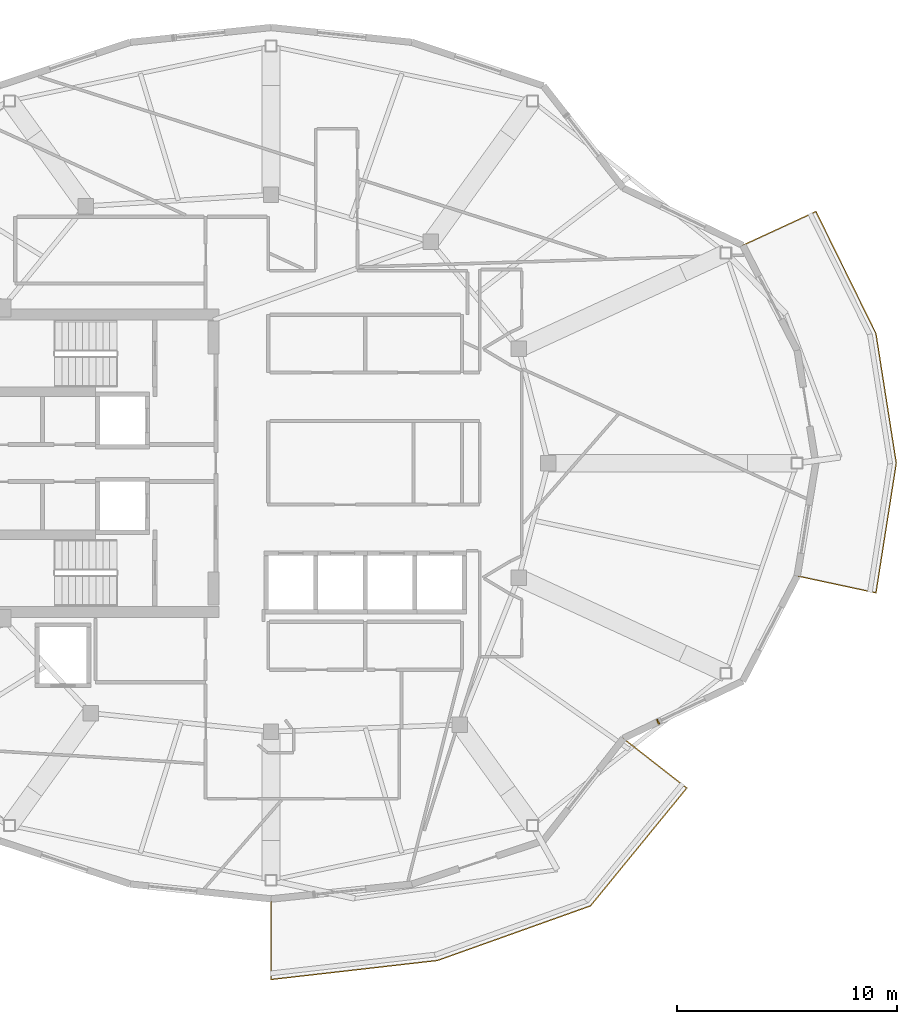
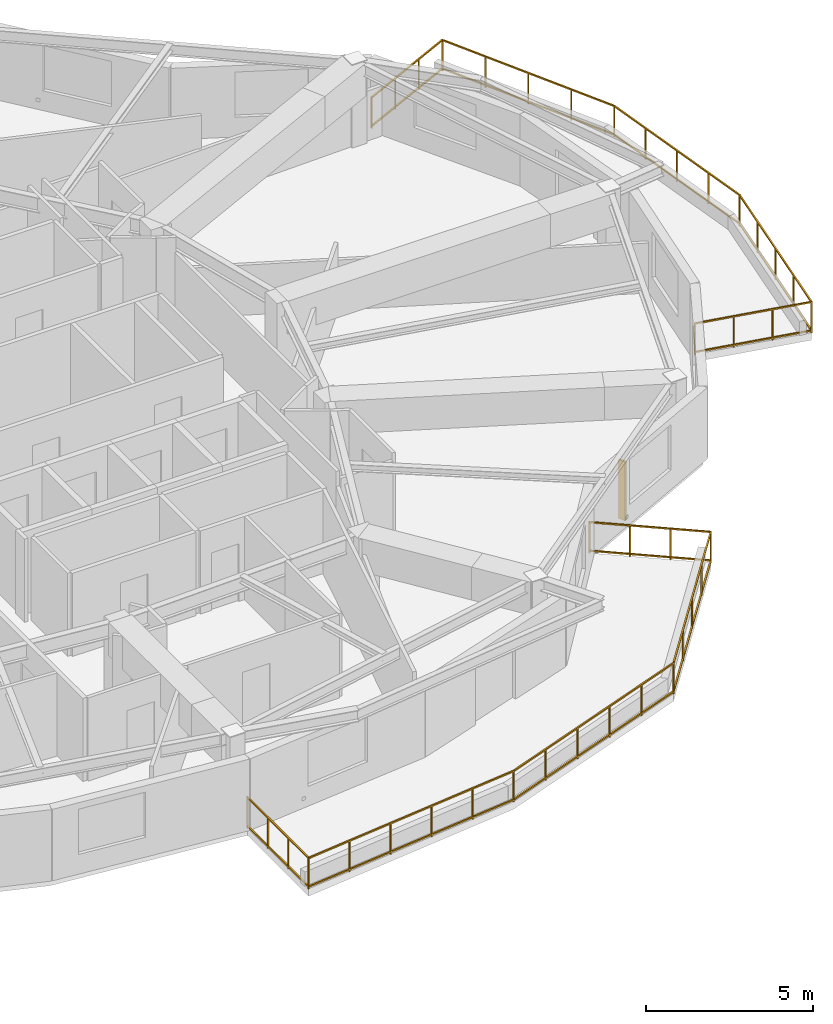
# One storey, part 9 of 11: 2 railings, 1 shading device.
"""IFC4 building model written with IfcOpenShell, lengths in metres."""

import ifcopenshell
import ifcopenshell.guid

model = None  # the IFC model being written
_history = None  # IfcOwnerHistory: only IFC2X3 demands one
_inside = {}  # id of a spatial element -> (the spatial element, [elements in it])
_under = {}  # id of a project, library or spatial element -> (it, [spatial elements below it])
_declared = {}  # id of a project -> (the project, [libraries it declares])
_typed = {}  # id of a type object -> (the type object, [elements of that type])
_made_of = {}  # id of a material, layer set ... -> (it, [elements and type objects made of it])


def new_model(schema):
    """Start an empty IFC model of exactly this schema.

    Asked for "IFC4X3", IfcOpenShell would pick the latest addendum, in which some entities
    have other attributes; the version numbers below select the first issue.
    IFC2X3 requires an IfcOwnerHistory on every rooted entity: one is made here for all.
    """
    global model, _history
    if schema == "IFC4X3":
        model = ifcopenshell.file(schema_version=(4, 3, 0, 0))
    else:
        model = ifcopenshell.file(schema=schema)
    _inside.clear()
    _under.clear()
    _declared.clear()
    _typed.clear()
    _made_of.clear()
    _history = None
    if model.schema == "IFC2X3":
        org = make("IfcOrganization", Name="unknown")
        user = make(
            "IfcPersonAndOrganization",
            ThePerson=make("IfcPerson", FamilyName="unknown"),
            TheOrganization=org,
        )
        app = make(
            "IfcApplication",
            ApplicationDeveloper=org,
            Version="unknown",
            ApplicationFullName="unknown",
            ApplicationIdentifier="unknown",
        )
        _history = make(
            "IfcOwnerHistory",
            OwningUser=user,
            OwningApplication=app,
            ChangeAction="ADDED",
            CreationDate=0,
        )
    return model


def make(cls, **values):
    """One entity of the class cls with the attributes given. An attribute that is None is left unset."""
    return model.create_entity(
        cls, **{name: value for name, value in values.items() if value is not None}
    )


def rooted(cls, **values):
    """An entity with a GlobalId (a new one), such as an element, a storey or a relation."""
    return make(cls, GlobalId=ifcopenshell.guid.new(), OwnerHistory=_history, **values)


def si_unit(unit_type, name, prefix=None):
    """IfcSIUnit, for example si_unit("LENGTHUNIT", "METRE", prefix="MILLI")."""
    return make("IfcSIUnit", UnitType=unit_type, Prefix=prefix, Name=name)


def assignment(units):
    """IfcUnitAssignment: the units of a project."""
    return None if units is None else make("IfcUnitAssignment", Units=units)


def point(xyz):
    """IfcCartesianPoint."""
    return None if xyz is None else make("IfcCartesianPoint", Coordinates=xyz)


def direction(xyz):
    """IfcDirection."""
    return None if xyz is None else make("IfcDirection", DirectionRatios=xyz)


def frame(location, z_axis=None, x_axis=None):
    """IfcAxis2Placement3D, a coordinate frame: its origin and axes. An axis left out is left unset."""
    return make(
        "IfcAxis2Placement3D",
        Location=point(location),
        Axis=direction(z_axis),
        RefDirection=direction(x_axis),
    )


def frame_2d(location, x_axis=None):
    """IfcAxis2Placement2D, a coordinate frame in the plane: its origin and x axis."""
    return make(
        "IfcAxis2Placement2D", Location=point(location), RefDirection=direction(x_axis)
    )


def origin():
    """The frame at (0, 0, 0) with its axes left unset."""
    return frame((0.0, 0.0, 0.0))


def origin_2d():
    """The frame at (0, 0) in the plane with its x axis left unset."""
    return frame_2d((0.0, 0.0))


def place(relative_to, where):
    """IfcLocalPlacement: puts the frame where relative to a parent placement (None: the world)."""
    return make(
        "IfcLocalPlacement", PlacementRelTo=relative_to, RelativePlacement=where
    )


def context(
    kind, dimensions, precision=None, world=None, true_north=None, identifier=None
):
    """IfcGeometricRepresentationContext, for example the 3D "Model" context."""
    return make(
        "IfcGeometricRepresentationContext",
        ContextIdentifier=identifier,
        ContextType=kind,
        CoordinateSpaceDimension=dimensions,
        Precision=precision,
        WorldCoordinateSystem=world,
        TrueNorth=true_north,
    )


def subcontext(parent, identifier, kind, view, scale=None):
    """IfcGeometricRepresentationSubContext, for example "Body" below "Model"."""
    return make(
        "IfcGeometricRepresentationSubContext",
        ContextIdentifier=identifier,
        ContextType=kind,
        ParentContext=parent,
        TargetScale=scale,
        TargetView=view,
    )


def project(units=None, contexts=None):
    """IfcProject with its units and contexts."""
    return rooted(
        "IfcProject",
        Name="project",
        RepresentationContexts=contexts,
        UnitsInContext=assignment(units),
    )


def spatial(cls, under=None, at=None, **own):
    """A site, building, storey or space (cls), placed at a placement, below another one or the project."""
    s = rooted(cls, ObjectPlacement=at, **own)
    if under is not None:
        _under.setdefault(under.id(), (under, []))[1].append(s)
    return s


def profile(cls, at=None, kind="AREA", **sizes):
    """A parametric profile (cls). Its sizes go by their IFC names, for example OverallWidth=200.0."""
    return make(cls, ProfileType=kind, Position=at, **sizes)


def rectangle(**sizes):
    """IfcRectangleProfileDef."""
    return profile("IfcRectangleProfileDef", **sizes)


def extrude(swept, where, along, depth):
    """IfcExtrudedAreaSolid: the profile swept, set in the frame where, extruded along a direction by depth."""
    return make(
        "IfcExtrudedAreaSolid",
        SweptArea=swept,
        Position=where,
        ExtrudedDirection=direction(along),
        Depth=depth,
    )


def shape(context_of_items, identifier, shape_type, items):
    """IfcShapeRepresentation: the items that make up one representation, for example the "Body"."""
    return make(
        "IfcShapeRepresentation",
        ContextOfItems=context_of_items,
        RepresentationIdentifier=identifier,
        RepresentationType=shape_type,
        Items=items,
    )


def material(Name=None, Category=None):
    """IfcMaterial."""
    return make("IfcMaterial", Name=Name, Category=Category)


def made_of(thing, what):
    """Note that an element or type object is made of a material, layer set ...; save() writes the relation."""
    if what is not None:
        _made_of.setdefault(what.id(), (what, []))[1].append(thing)
    return thing


def type_object(cls, material=None, **own):
    """A type object (cls), such as IfcWallType, which elements share."""
    return made_of(rooted(cls, **own), material)


def element(
    cls,
    number,
    at=None,
    inside=None,
    cuts=None,
    type_object=None,
    material=None,
    context=None,
    identifier="Body",
    shape_type=None,
    held_by="IfcProductDefinitionShape",
    body=None,
    shapes=None,
    **own,
):
    """One element of the class cls, such as IfcWall. Its Tag is "e" and its number.

    at: its placement. inside: the storey or other place that contains it. cuts: it is an
    opening in that element (IfcRelVoidsElement). A single representation is given by context,
    identifier, shape_type and body (its items); several are given by shapes. held_by: the class
    of the entity that holds the representations. save() writes the other relations.
    """
    e = rooted(cls, Tag="e%d" % number, ObjectPlacement=at, **own)
    if body is not None:
        shapes = [shape(context, identifier, shape_type, body)]
    if shapes is not None:
        e.Representation = make(held_by, Representations=shapes)
    if inside is not None:
        _inside.setdefault(inside.id(), (inside, []))[1].append(e)
    if cuts is not None:
        rooted(
            "IfcRelVoidsElement", RelatingBuildingElement=cuts, RelatedOpeningElement=e
        )
    if type_object is not None:
        _typed.setdefault(type_object.id(), (type_object, []))[1].append(e)
    return made_of(e, material)


def aggregate(whole, parts):
    """IfcRelAggregates: a whole, such as a stair, and the parts it consists of."""
    return rooted("IfcRelAggregates", RelatingObject=whole, RelatedObjects=parts)


def save(model, path):
    """Write the relations noted so far, then the file.

    IfcRelAggregates (storeys below a building ...), IfcRelContainedInSpatialStructure (elements
    in a storey), IfcRelDefinesByType, IfcRelAssociatesMaterial and IfcRelDeclares: one each for
    every whole, place, type object, material and project.
    """
    for whole, parts in _under.values():
        aggregate(whole, parts)
    for where, things in _inside.values():
        rooted(
            "IfcRelContainedInSpatialStructure",
            RelatedElements=things,
            RelatingStructure=where,
        )
    for kind, things in _typed.values():
        rooted("IfcRelDefinesByType", RelatedObjects=things, RelatingType=kind)
    for what, things in _made_of.values():
        rooted("IfcRelAssociatesMaterial", RelatedObjects=things, RelatingMaterial=what)
    for by, libraries in _declared.values():
        rooted("IfcRelDeclares", RelatingContext=by, RelatedDefinitions=libraries)
    model.write(path)


model = new_model("IFC4")

# Units and contexts
model_context = context("Model", 3, precision=1e-05, world=origin(), true_north=direction((0.0, 1.0)))
body_context = subcontext(model_context, "Body", "Model", "MODEL_VIEW")
ifc_project = project(units=[si_unit("LENGTHUNIT", "METRE"), si_unit("AREAUNIT", "SQUARE_METRE"), si_unit("VOLUMEUNIT", "CUBIC_METRE"), si_unit("PLANEANGLEUNIT", "RADIAN"), si_unit("MASSUNIT", "GRAM", prefix="KILO")], contexts=[model_context])

# Site, building, storey
site_placement = place(None, origin())
site = spatial("IfcSite", under=ifc_project, at=site_placement, CompositionType="ELEMENT")
building_placement = place(site_placement, origin())
building = spatial("IfcBuilding", under=site, at=building_placement, Name="Kolvaren Gate Tower and Convention Centre", CompositionType="ELEMENT")
storey_placement = place(building_placement, frame((0.0, 0.0, 236.0)))
storey = spatial("IfcBuildingStorey", under=building, at=storey_placement, Name="L63", CompositionType="ELEMENT", Elevation=236.0)

# Railings
ifc_material_1 = material(Name="Brushed Stainless Steel Grade 316L", Category="steel")
railing_type = type_object("IfcRailingType", Name="ARCH-RL-GUARD-1150", PredefinedType="GUARDRAIL", material=ifc_material_1)
railing_1_placement = place(storey_placement, frame((30.125, 7.199951171875, 0.0)))
element("IfcRailing", 1, at=railing_1_placement, inside=storey, type_object=railing_type, Name="Tower L63 Terrace Perimeter Guardrail GR-3", PredefinedType="GUARDRAIL", context=body_context, shape_type="SweptSolid", body=[
    extrude(rectangle(XDim=0.048095703125, YDim=0.048095703125, at=origin_2d()), frame((0.0, -0.028076171875, 1.1259765625), z_axis=(0.0, -1.0, 0.0), x_axis=(1.0, 0.0, 0.0)), (0.0, 0.0, 1.0), 3.603759765625),
    extrude(rectangle(XDim=0.048095703125, YDim=0.048095703125, at=origin_2d()), frame((0.0, -0.028076171875, 0.083984375), z_axis=(0.0, -1.0, 0.0), x_axis=(1.0, 0.0, 0.0)), (0.0, 0.0, 1.0), 3.603759765625),
    extrude(rectangle(XDim=0.048095703125, YDim=0.048095703125, at=origin_2d()), frame((0.02783203125, -3.65673828125, 1.1259765625), z_axis=(0.993542586276, 0.113459813395, 0.0), x_axis=(-0.113459813395, 0.993542586276, 0.0)), (0.0, 0.0, 1.0), 7.561279296875),
    extrude(rectangle(XDim=0.048095703125, YDim=0.048095703125, at=origin_2d()), frame((0.02783203125, -3.65673828125, 0.083984375), z_axis=(0.993542586276, 0.113459813395, 0.0), x_axis=(-0.113459813395, 0.993542586276, 0.0)), (0.0, 0.0, 1.0), 7.561279296875),
    extrude(rectangle(XDim=0.048095703125, YDim=0.048095703125, at=origin_2d()), frame((7.594482421875, -2.7861328125, 1.1259765625), z_axis=(0.941783827204, 0.336219010197, 0.0), x_axis=(-0.336219010197, 0.941783827204, 0.0)), (0.0, 0.0, 1.0), 7.322265625),
    extrude(rectangle(XDim=0.048095703125, YDim=0.048095703125, at=origin_2d()), frame((7.594482421875, -2.7861328125, 0.083984375), z_axis=(0.941783827204, 0.336219010197, 0.0), x_axis=(-0.336219010197, 0.941783827204, 0.0)), (0.0, 0.0, 1.0), 7.322265625),
    extrude(rectangle(XDim=0.048095703125, YDim=0.048095703125, at=origin_2d()), frame((14.53466796875, -0.293212890625, 1.1259765625), z_axis=(0.632718487063, 0.77438189295, 0.0), x_axis=(-0.77438189295, 0.632718487063, 0.0)), (0.0, 0.0, 1.0), 6.858154296875),
    extrude(rectangle(XDim=0.048095703125, YDim=0.048095703125, at=origin_2d()), frame((14.53466796875, -0.293212890625, 0.083984375), z_axis=(0.632718487063, 0.77438189295, 0.0), x_axis=(-0.77438189295, 0.632718487063, 0.0)), (0.0, 0.0, 1.0), 6.858154296875),
    extrude(rectangle(XDim=0.048095703125, YDim=0.048095703125, at=origin_2d()), frame((18.869384765625, 5.056640625, 1.1259765625), z_axis=(-0.787988976981, 0.61568934712, 0.0), x_axis=(-0.61568934712, -0.787988976981, 0.0)), (0.0, 0.0, 1.0), 3.60400390625),
    extrude(rectangle(XDim=0.048095703125, YDim=0.048095703125, at=origin_2d()), frame((18.869384765625, 5.056640625, 0.083984375), z_axis=(-0.787988976981, 0.61568934712, 0.0), x_axis=(-0.61568934712, -0.787988976981, 0.0)), (0.0, 0.0, 1.0), 3.60400390625),
    extrude(rectangle(XDim=0.0419921875, YDim=0.0419921875, at=origin_2d()), origin(), (0.0, 0.0, 1.0), 1.14990234375),
    extrude(rectangle(XDim=0.0419921875, YDim=0.0419921875, at=origin_2d()), frame((0.0, -3.659912109375, 0.0)), (0.0, 0.0, 1.0), 1.14990234375),
    extrude(rectangle(XDim=0.0419921875, YDim=0.0419921875, at=origin_2d()), frame((0.0, -1.219970703125, 0.0)), (0.0, 0.0, 1.0), 1.099853515625),
    extrude(rectangle(XDim=0.0419921875, YDim=0.0419921875, at=origin_2d()), frame((0.0, -2.43994140625, 0.0)), (0.0, 0.0, 1.0), 1.099853515625),
    extrude(rectangle(XDim=0.0419921875, YDim=0.0419921875, at=origin_2d()), frame((7.568115234375, -2.795654296875, 0.0)), (0.0, 0.0, 1.0), 1.14990234375),
    extrude(rectangle(XDim=0.0419921875, YDim=0.0419921875, at=origin_2d()), frame((1.513671875, -3.487060546875, 0.0)), (0.0, 0.0, 1.0), 1.099853515625),
    extrude(rectangle(XDim=0.0419921875, YDim=0.0419921875, at=origin_2d()), frame((3.02734375, -3.314208984375, 0.0)), (0.0, 0.0, 1.0), 1.099853515625),
    extrude(rectangle(XDim=0.0419921875, YDim=0.0419921875, at=origin_2d()), frame((4.540771484375, -3.141357421875, 0.0)), (0.0, 0.0, 1.0), 1.099853515625),
    extrude(rectangle(XDim=0.0419921875, YDim=0.0419921875, at=origin_2d()), frame((6.054443359375, -2.968505859375, 0.0)), (0.0, 0.0, 1.0), 1.099853515625),
    extrude(rectangle(XDim=0.0419921875, YDim=0.0419921875, at=origin_2d()), frame((14.516845703125, -0.31494140625, 0.0)), (0.0, 0.0, 1.0), 1.14990234375),
    extrude(rectangle(XDim=0.0419921875, YDim=0.0419921875, at=origin_2d()), frame((8.957763671875, -2.299560546875, 0.0)), (0.0, 0.0, 1.0), 1.099853515625),
    extrude(rectangle(XDim=0.0419921875, YDim=0.0419921875, at=origin_2d()), frame((10.34765625, -1.803466796875, 0.0)), (0.0, 0.0, 1.0), 1.099853515625),
    extrude(rectangle(XDim=0.0419921875, YDim=0.0419921875, at=origin_2d()), frame((11.7373046875, -1.30712890625, 0.0)), (0.0, 0.0, 1.0), 1.099853515625),
    extrude(rectangle(XDim=0.0419921875, YDim=0.0419921875, at=origin_2d()), frame((13.127197265625, -0.81103515625, 0.0)), (0.0, 0.0, 1.0), 1.099853515625),
    extrude(rectangle(XDim=0.0419921875, YDim=0.0419921875, at=origin_2d()), frame((18.8916015625, 5.039306640625, 0.0)), (0.0, 0.0, 1.0), 1.14990234375),
    extrude(rectangle(XDim=0.0419921875, YDim=0.0419921875, at=origin_2d()), frame((15.610595703125, 1.023681640625, 0.0)), (0.0, 0.0, 1.0), 1.099853515625),
    extrude(rectangle(XDim=0.0419921875, YDim=0.0419921875, at=origin_2d()), frame((16.7041015625, 2.3623046875, 0.0)), (0.0, 0.0, 1.0), 1.099853515625),
    extrude(rectangle(XDim=0.0419921875, YDim=0.0419921875, at=origin_2d()), frame((17.7978515625, 3.70068359375, 0.0)), (0.0, 0.0, 1.0), 1.099853515625),
    extrude(rectangle(XDim=0.0419921875, YDim=0.0419921875, at=origin_2d()), frame((16.007568359375, 7.292724609375, 0.0)), (0.0, 0.0, 1.0), 1.14990234375),
    extrude(rectangle(XDim=0.0419921875, YDim=0.0419921875, at=origin_2d()), frame((17.93017578125, 5.79052734375, 0.0)), (0.0, 0.0, 1.0), 1.099853515625),
    extrude(rectangle(XDim=0.0419921875, YDim=0.0419921875, at=origin_2d()), frame((16.968994140625, 6.54150390625, 0.0)), (0.0, 0.0, 1.0), 1.099853515625),
])
railing_2_placement = place(storey_placement, frame((54.03173828125, 21.87548828125, 0.0)))
element("IfcRailing", 2, at=railing_2_placement, inside=storey, type_object=railing_type, Name="Tower L63 Terrace Perimeter Guardrail GR-4", PredefinedType="GUARDRAIL", context=body_context, shape_type="SweptSolid", body=[
    extrude(rectangle(XDim=0.048095703125, YDim=0.048095703125, at=origin_2d()), frame((0.02734375, -0.005859375, 1.1259765625), z_axis=(0.977788745232, -0.209592866525, 0.0), x_axis=(0.209592866525, 0.977788745232, 0.0)), (0.0, 0.0, 1.0), 3.603759765625),
    extrude(rectangle(XDim=0.048095703125, YDim=0.048095703125, at=origin_2d()), frame((0.02734375, -0.005859375, 0.083984375), z_axis=(0.977788745232, -0.209592866525, 0.0), x_axis=(0.209592866525, 0.977788745232, 0.0)), (0.0, 0.0, 1.0), 3.603759765625),
    extrude(rectangle(XDim=0.048095703125, YDim=0.048095703125, at=origin_2d()), frame((3.5830078125, -0.739501953125, 1.1259765625), z_axis=(0.155031225865, 0.987909570258, 0.0), x_axis=(-0.987909570258, 0.155031225865, 0.0)), (0.0, 0.0, 1.0), 5.90771484375),
    extrude(rectangle(XDim=0.048095703125, YDim=0.048095703125, at=origin_2d()), frame((3.5830078125, -0.739501953125, 0.083984375), z_axis=(0.155031225865, 0.987909570258, 0.0), x_axis=(-0.987909570258, 0.155031225865, 0.0)), (0.0, 0.0, 1.0), 5.90771484375),
    extrude(rectangle(XDim=0.048095703125, YDim=0.048095703125, at=origin_2d()), frame((4.498779296875, 5.152099609375, 1.1259765625), z_axis=(-0.155031225865, 0.987909570258, 0.0), x_axis=(-0.987909570258, -0.155031225865, 0.0)), (0.0, 0.0, 1.0), 5.90771484375),
    extrude(rectangle(XDim=0.048095703125, YDim=0.048095703125, at=origin_2d()), frame((4.498779296875, 5.152099609375, 0.083984375), z_axis=(-0.155031225865, 0.987909570258, 0.0), x_axis=(-0.987909570258, -0.155031225865, 0.0)), (0.0, 0.0, 1.0), 5.90771484375),
    extrude(rectangle(XDim=0.048095703125, YDim=0.048095703125, at=origin_2d()), frame((3.566162109375, 11.041259765625, 1.1259765625), z_axis=(-0.441625304244, 0.897199582396, 0.0), x_axis=(-0.897199582396, -0.441625304244, 0.0)), (0.0, 0.0, 1.0), 6.122314453125),
    extrude(rectangle(XDim=0.048095703125, YDim=0.048095703125, at=origin_2d()), frame((3.566162109375, 11.041259765625, 0.083984375), z_axis=(-0.441625304244, 0.897199582396, 0.0), x_axis=(-0.897199582396, -0.441625304244, 0.0)), (0.0, 0.0, 1.0), 6.122314453125),
    extrude(rectangle(XDim=0.048095703125, YDim=0.048095703125, at=origin_2d()), frame((0.82470703125, 16.547607421875, 1.1259765625), z_axis=(-0.907820723829, -0.419358478377, 0.0), x_axis=(0.419358478377, -0.907820723829, 0.0)), (0.0, 0.0, 1.0), 3.60400390625),
    extrude(rectangle(XDim=0.048095703125, YDim=0.048095703125, at=origin_2d()), frame((0.82470703125, 16.547607421875, 0.083984375), z_axis=(-0.907820723829, -0.419358478377, 0.0), x_axis=(0.419358478377, -0.907820723829, 0.0)), (0.0, 0.0, 1.0), 3.60400390625),
    extrude(rectangle(XDim=0.0419921875, YDim=0.0419921875, at=origin_2d()), origin(), (0.0, 0.0, 1.0), 1.14990234375),
    extrude(rectangle(XDim=0.0419921875, YDim=0.0419921875, at=origin_2d()), frame((3.57861328125, -0.76708984375, 0.0)), (0.0, 0.0, 1.0), 1.14990234375),
    extrude(rectangle(XDim=0.0419921875, YDim=0.0419921875, at=origin_2d()), frame((1.19287109375, -0.255615234375, 0.0)), (0.0, 0.0, 1.0), 1.099853515625),
    extrude(rectangle(XDim=0.0419921875, YDim=0.0419921875, at=origin_2d()), frame((2.3857421875, -0.511474609375, 0.0)), (0.0, 0.0, 1.0), 1.099853515625),
    extrude(rectangle(XDim=0.0419921875, YDim=0.0419921875, at=origin_2d()), frame((4.503173828125, 5.12451171875, 0.0)), (0.0, 0.0, 1.0), 1.14990234375),
    extrude(rectangle(XDim=0.0419921875, YDim=0.0419921875, at=origin_2d()), frame((3.809814453125, 0.705810546875, 0.0)), (0.0, 0.0, 1.0), 1.099853515625),
    extrude(rectangle(XDim=0.0419921875, YDim=0.0419921875, at=origin_2d()), frame((4.041015625, 2.1787109375, 0.0)), (0.0, 0.0, 1.0), 1.099853515625),
    extrude(rectangle(XDim=0.0419921875, YDim=0.0419921875, at=origin_2d()), frame((4.27197265625, 3.651611328125, 0.0)), (0.0, 0.0, 1.0), 1.099853515625),
    extrude(rectangle(XDim=0.0419921875, YDim=0.0419921875, at=origin_2d()), frame((3.57861328125, 11.01611328125, 0.0)), (0.0, 0.0, 1.0), 1.14990234375),
    extrude(rectangle(XDim=0.0419921875, YDim=0.0419921875, at=origin_2d()), frame((4.27197265625, 6.597412109375, 0.0)), (0.0, 0.0, 1.0), 1.099853515625),
    extrude(rectangle(XDim=0.0419921875, YDim=0.0419921875, at=origin_2d()), frame((4.041015625, 8.0703125, 0.0)), (0.0, 0.0, 1.0), 1.099853515625),
    extrude(rectangle(XDim=0.0419921875, YDim=0.0419921875, at=origin_2d()), frame((3.809814453125, 9.543212890625, 0.0)), (0.0, 0.0, 1.0), 1.099853515625),
    extrude(rectangle(XDim=0.0419921875, YDim=0.0419921875, at=origin_2d()), frame((0.85009765625, 16.559326171875, 0.0)), (0.0, 0.0, 1.0), 1.14990234375),
    extrude(rectangle(XDim=0.0419921875, YDim=0.0419921875, at=origin_2d()), frame((2.896484375, 12.40185546875, 0.0)), (0.0, 0.0, 1.0), 1.099853515625),
    extrude(rectangle(XDim=0.0419921875, YDim=0.0419921875, at=origin_2d()), frame((2.21435546875, 13.78759765625, 0.0)), (0.0, 0.0, 1.0), 1.099853515625),
    extrude(rectangle(XDim=0.0419921875, YDim=0.0419921875, at=origin_2d()), frame((1.5322265625, 15.173583984375, 0.0)), (0.0, 0.0, 1.0), 1.099853515625),
    extrude(rectangle(XDim=0.0419921875, YDim=0.0419921875, at=origin_2d()), frame((-2.47265625, 15.0244140625, 0.0)), (0.0, 0.0, 1.0), 1.14990234375),
    extrude(rectangle(XDim=0.0419921875, YDim=0.0419921875, at=origin_2d()), frame((-0.257568359375, 16.047607421875, 0.0)), (0.0, 0.0, 1.0), 1.099853515625),
    extrude(rectangle(XDim=0.0419921875, YDim=0.0419921875, at=origin_2d()), frame((-1.364990234375, 15.5361328125, 0.0)), (0.0, 0.0, 1.0), 1.099853515625),
])

# Shading device
ifc_material_2 = material(Name="Kiln-Fired Bogota Terracotta Ceramic Louvre Profile", Category="masonry")
shading_device_type = type_object("IfcShadingDeviceType", Name="ARCH-SHD-FIN-180", PredefinedType="JALOUSIE", material=ifc_material_2)
shading_device_placement = place(storey_placement, frame((47.7099609375, 15.25048828125, 0.219970703125), z_axis=(0.0, 0.0, 1.0), x_axis=(0.90135914581, 0.433072384555, 0.0)))
element("IfcShadingDevice", 3, at=shading_device_placement, inside=storey, type_object=shading_device_type, Name="Ceramic Vertical Brise-Soleil Fin FN-L63-21", PredefinedType="JALOUSIE", context=body_context, shape_type="SweptSolid", body=[
    extrude(rectangle(XDim=0.06005859375, YDim=0.239990234375, at=origin_2d()), origin(), (0.0, 0.0, 1.0), 2.14990234375),
])

save(model, "model.ifc")
